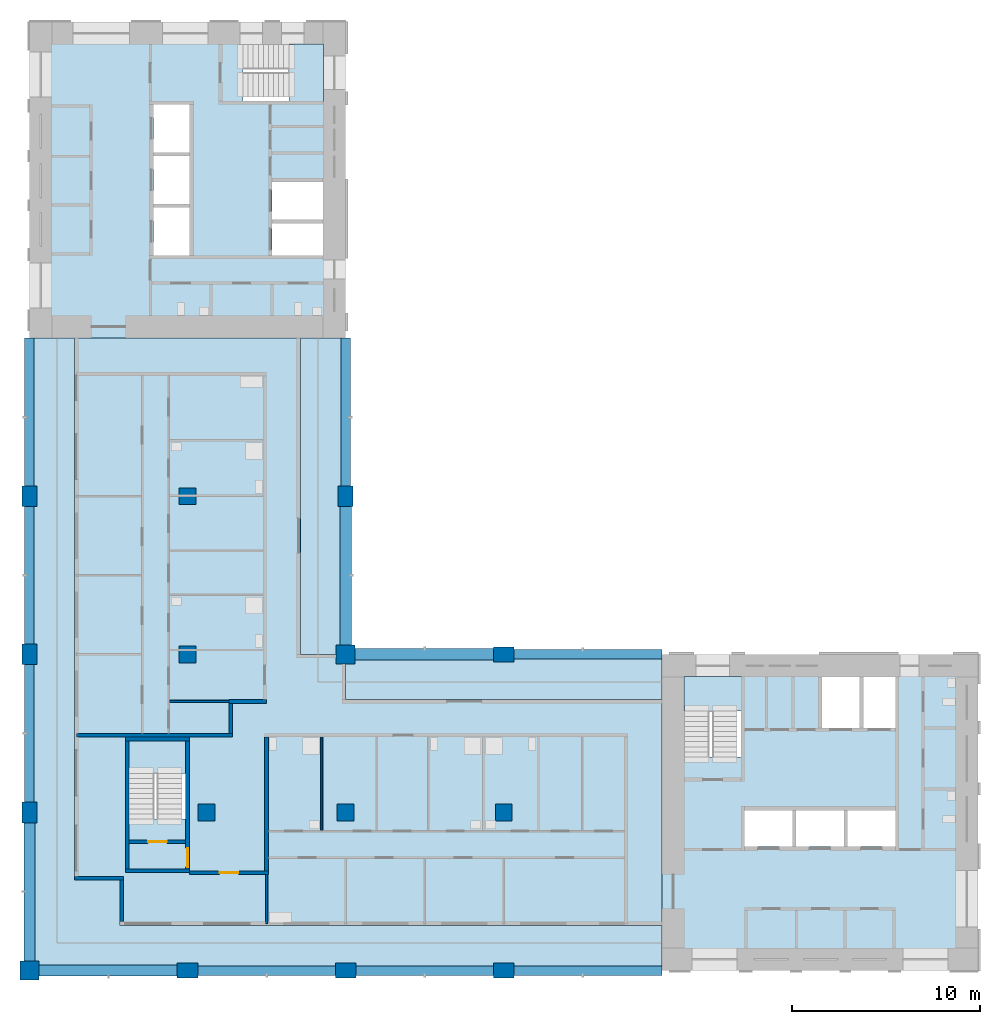
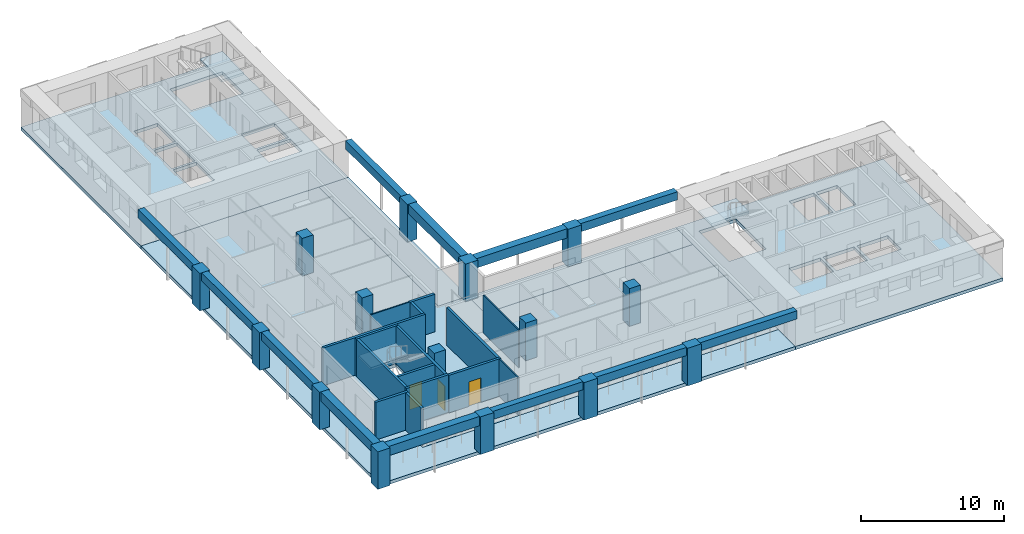
# One storey, part 1 of 10: 15 columns, 15 walls, 12 beams, 10 slabs, 3 doors, 3 openings, 3 elements without a shape of their own.
"""IFC4 building model written with IfcOpenShell, lengths in metres."""

from ifc_helpers import new_model, si_unit, direction, frame, frame_2d, origin, origin_2d, place, context, subcontext, project, spatial, polyline, rectangle, outline, extrude, material, layer, layer_set, material_profile, profile_set, type_object, element, fill, aggregate, save


model = new_model("IFC4")

# Units and contexts
model_context = context("Model", 3, precision=1e-05, world=origin(), true_north=direction((0.0, 1.0)))
body_context = subcontext(model_context, "Body", "Model", "MODEL_VIEW")
ifc_project = project(units=[si_unit("LENGTHUNIT", "METRE"), si_unit("AREAUNIT", "SQUARE_METRE"), si_unit("VOLUMEUNIT", "CUBIC_METRE"), si_unit("PLANEANGLEUNIT", "RADIAN"), si_unit("MASSUNIT", "GRAM", prefix="KILO")], contexts=[model_context])

# Site, building, storey
site_placement = place(None, origin())
site = spatial("IfcSite", under=ifc_project, at=site_placement, CompositionType="ELEMENT")
building_placement = place(site_placement, origin())
building = spatial("IfcBuilding", under=site, at=building_placement, Name="Vermilion Gate Residences", CompositionType="ELEMENT")
storey_placement = place(building_placement, frame((0.0, 0.0, 270.199951171875)))
storey = spatial("IfcBuildingStorey", under=building, at=storey_placement, Name="L71", CompositionType="ELEMENT", Elevation=270.199951171875)

# Columns
ifc_material_1 = material(Name="Concrete C50", Category="concrete")
ifc_material_profile_1 = material_profile(ifc_material_1, rectangle(XDim=1.0, YDim=1.0, at=origin_2d()), Name="RC-1000x1000")
ifc_profile_set_1 = profile_set([ifc_material_profile_1], Name="Concrete C50")
column_type_1 = type_object("IfcColumnType", Name="RC COLUMN 1000 X 1000 C50", PredefinedType="COLUMN", material=ifc_profile_set_1)
for number, where, z_axis, x_axis, name in (
    (1, (8.39990234375, 8.39990234375, 0.0), (0.0, 0.0, 1.0), (1.0, 0.0, 0.0), "Column 2-B L71"),
    (2, (25.199951171875, 25.199951171875, 0.0), (0.0, 0.0, 1.0), (1.0, 0.0, 0.0), "Column 4-D L71"),
):
    element("IfcColumn", number, at=place(storey_placement, frame(where, z_axis=z_axis, x_axis=x_axis)), inside=storey, type_object=column_type_1, Name=name, PredefinedType="COLUMN", context=body_context, shape_type="SweptSolid", body=[
        extrude(rectangle(XDim=1.0, YDim=1.0, at=origin_2d()), origin(), (0.0, 0.0, 1.0), 3.219970703125),
    ])
ifc_material_2 = material(Name="Concrete C50", Category="concrete")
ifc_material_profile_2 = material_profile(ifc_material_2, rectangle(XDim=1.10009765625, YDim=0.800048828125, at=origin_2d()), Name="RC-1100x800")
ifc_profile_set_2 = profile_set([ifc_material_profile_2], Name="Concrete C50")
column_type_2 = type_object("IfcColumnType", Name="RC COLUMN 1100 X 800 C50", PredefinedType="COLUMN", material=ifc_profile_set_2)
for number, where, z_axis, x_axis, name in (
    (3, (8.39990234375, 16.800048828125, 0.0), (0.0, 0.0, 1.0), (0.0, 1.0, 0.0), "Column 2-C L71"),
    (4, (8.39990234375, 25.199951171875, 0.0), (0.0, 0.0, 1.0), (0.0, 1.0, 0.0), "Column 2-D L71"),
    (5, (8.39990234375, 33.60009765625, 0.0), (0.0, 0.0, 1.0), (0.0, 1.0, 0.0), "Column 2-E L71"),
    (6, (16.800048828125, 8.39990234375, 0.0), (0.0, 0.0, 1.0), (1.0, 0.0, 0.0), "Column 3-B L71"),
    (7, (25.199951171875, 8.39990234375, 0.0), (0.0, 0.0, 1.0), (1.0, 0.0, 0.0), "Column 4-B L71"),
    (8, (25.199951171875, 33.60009765625, 0.0), (0.0, 0.0, 1.0), (0.0, 1.0, 0.0), "Column 4-E L71"),
    (9, (33.60009765625, 8.39990234375, 0.0), (0.0, 0.0, 1.0), (1.0, 0.0, 0.0), "Column 5-B L71"),
    (10, (33.60009765625, 25.199951171875, 0.0), (0.0, 0.0, 1.0), (1.0, 0.0, 0.0), "Column 5-D L71"),
):
    element("IfcColumn", number, at=place(storey_placement, frame(where, z_axis=z_axis, x_axis=x_axis)), inside=storey, type_object=column_type_2, Name=name, PredefinedType="COLUMN", context=body_context, shape_type="SweptSolid", body=[
        extrude(rectangle(XDim=1.10009765625, YDim=0.800048828125, at=origin_2d()), origin(), (0.0, 0.0, 1.0), 3.219970703125),
    ])
ifc_material_3 = material(Name="Concrete C50", Category="concrete")
ifc_material_profile_3 = material_profile(ifc_material_3, rectangle(XDim=0.89990234375, YDim=0.89990234375, at=origin_2d()), Name="RC-900x900")
ifc_profile_set_3 = profile_set([ifc_material_profile_3], Name="Concrete C50")
column_type_3 = type_object("IfcColumnType", Name="RC COLUMN 900 X 900 C50", PredefinedType="COLUMN", material=ifc_profile_set_3)
for number, where, z_axis, x_axis, name in (
    (11, (17.800048828125, 16.800048828125, 0.0), (0.0, 0.0, 1.0), (1.0, 0.0, 0.0), "Column 3-C L71"),
    (12, (16.800048828125, 25.199951171875, 0.0), (0.0, 0.0, 1.0), (1.0, 0.0, 0.0), "Column 3-D L71"),
    (13, (16.800048828125, 33.60009765625, 0.0), (0.0, 0.0, 1.0), (1.0, 0.0, 0.0), "Column 3-E L71"),
    (14, (25.199951171875, 16.800048828125, 0.0), (0.0, 0.0, 1.0), (1.0, 0.0, 0.0), "Column 4-C L71"),
    (15, (33.60009765625, 16.800048828125, 0.0), (0.0, 0.0, 1.0), (1.0, 0.0, 0.0), "Column 5-C L71"),
):
    element("IfcColumn", number, at=place(storey_placement, frame(where, z_axis=z_axis, x_axis=x_axis)), inside=storey, type_object=column_type_3, Name=name, PredefinedType="COLUMN", context=body_context, shape_type="SweptSolid", body=[
        extrude(rectangle(XDim=0.89990234375, YDim=0.89990234375, at=origin_2d()), origin(), (0.0, 0.0, 1.0), 3.219970703125),
    ])

# Beams
ifc_material_4 = material(Name="Concrete C60 red-oxide pigmented", Category="concrete")
ifc_material_profile_4 = material_profile(ifc_material_4, rectangle(XDim=0.60009765625, YDim=0.800048828125, at=origin_2d()), Name="RC-600x800")
ifc_profile_set_4 = profile_set([ifc_material_profile_4], Name="Concrete C60 red-oxide pigmented")
beam_type_1 = type_object("IfcBeamType", Name="RC CORNER EDGE BEAM 600 X 800 C60", PredefinedType="BEAM", material=ifc_profile_set_4)
for number, where, z_axis, x_axis, name in (
    (16, (8.89990234375, 8.39990234375, 2.820068359375), (1.0, 0.0, 0.0), (0.0, 1.0, 0.0), "Corner edge beam L71 1"),
    (17, (8.39990234375, 8.89990234375, 2.820068359375), (0.0, 1.0, 0.0), (-1.0, 0.0, 0.0), "Corner edge beam L71 2"),
    (18, (25.199951171875, 25.699951171875, 2.820068359375), (0.0, 1.0, 0.0), (-1.0, 0.0, 0.0), "Corner edge beam L71 7"),
    (19, (25.699951171875, 25.199951171875, 2.820068359375), (1.0, 0.0, 0.0), (0.0, 1.0, 0.0), "Corner edge beam L71 10"),
):
    element("IfcBeam", number, at=place(storey_placement, frame(where, z_axis=z_axis, x_axis=x_axis)), inside=storey, type_object=beam_type_1, Name=name, PredefinedType="BEAM", context=body_context, shape_type="SweptSolid", body=[
        extrude(rectangle(XDim=0.60009765625, YDim=0.800048828125, at=origin_2d()), origin(), (0.0, 0.0, 1.0), 7.35009765625),
    ])
ifc_material_5 = material(Name="Concrete C60 red-oxide pigmented", Category="concrete")
ifc_material_profile_5 = material_profile(ifc_material_5, rectangle(XDim=0.5, YDim=0.699951171875, at=origin_2d()), Name="RC-500x700")
ifc_profile_set_5 = profile_set([ifc_material_profile_5], Name="Concrete C60 red-oxide pigmented")
beam_type_2 = type_object("IfcBeamType", Name="RC EDGE BEAM 500 X 700 C60", PredefinedType="BEAM", material=ifc_profile_set_5)
beam_1_placement = place(storey_placement, frame((8.39990234375, 17.35009765625, 2.8701171875), z_axis=(0.0, 1.0, 0.0), x_axis=(-1.0, 0.0, 0.0)))
element("IfcBeam", 20, at=beam_1_placement, inside=storey, type_object=beam_type_2, Name="Edge beam L71 3", PredefinedType="BEAM", context=body_context, shape_type="SweptSolid", body=[
    extrude(rectangle(XDim=0.5, YDim=0.699951171875, at=origin_2d()), origin(), (0.0, 0.0, 1.0), 7.2998046875),
])
beam_2_placement = place(storey_placement, frame((8.39990234375, 25.75, 2.8701171875), z_axis=(0.0, 1.0, 0.0), x_axis=(-1.0, 0.0, 0.0)))
element("IfcBeam", 21, at=beam_2_placement, inside=storey, type_object=beam_type_2, Name="Edge beam L71 4", PredefinedType="BEAM", context=body_context, shape_type="SweptSolid", body=[
    extrude(rectangle(XDim=0.5, YDim=0.699951171875, at=origin_2d()), origin(), (0.0, 0.0, 1.0), 7.300048828125),
])
beam_3_placement = place(storey_placement, frame((8.39990234375, 34.14990234375, 2.8701171875), z_axis=(0.0, 1.0, 0.0), x_axis=(-1.0, 0.0, 0.0)))
element("IfcBeam", 22, at=beam_3_placement, inside=storey, type_object=beam_type_2, Name="Edge beam L71 5", PredefinedType="BEAM", context=body_context, shape_type="SweptSolid", body=[
    extrude(rectangle(XDim=0.5, YDim=0.699951171875, at=origin_2d()), origin(), (0.0, 0.0, 1.0), 7.85009765625),
])
beam_4_placement = place(storey_placement, frame((17.35009765625, 8.39990234375, 2.8701171875), z_axis=(1.0, 0.0, 0.0), x_axis=(0.0, 1.0, 0.0)))
element("IfcBeam", 23, at=beam_4_placement, inside=storey, type_object=beam_type_2, Name="Edge beam L71 6", PredefinedType="BEAM", context=body_context, shape_type="SweptSolid", body=[
    extrude(rectangle(XDim=0.5, YDim=0.699951171875, at=origin_2d()), origin(), (0.0, 0.0, 1.0), 7.2998046875),
])
beam_5_placement = place(storey_placement, frame((25.199951171875, 34.14990234375, 2.8701171875), z_axis=(0.0, 1.0, 0.0), x_axis=(-1.0, 0.0, 0.0)))
element("IfcBeam", 24, at=beam_5_placement, inside=storey, type_object=beam_type_2, Name="Edge beam L71 8", PredefinedType="BEAM", context=body_context, shape_type="SweptSolid", body=[
    extrude(rectangle(XDim=0.5, YDim=0.699951171875, at=origin_2d()), origin(), (0.0, 0.0, 1.0), 7.85009765625),
])
beam_6_placement = place(storey_placement, frame((25.75, 8.39990234375, 2.8701171875), z_axis=(1.0, 0.0, 0.0), x_axis=(0.0, 1.0, 0.0)))
element("IfcBeam", 25, at=beam_6_placement, inside=storey, type_object=beam_type_2, Name="Edge beam L71 9", PredefinedType="BEAM", context=body_context, shape_type="SweptSolid", body=[
    extrude(rectangle(XDim=0.5, YDim=0.699951171875, at=origin_2d()), origin(), (0.0, 0.0, 1.0), 7.300048828125),
])
for number, where, z_axis, x_axis, name in (
    (26, (34.14990234375, 8.39990234375, 2.8701171875), (1.0, 0.0, 0.0), (0.0, 1.0, 0.0), "Edge beam L71 11"),
    (27, (34.14990234375, 25.199951171875, 2.8701171875), (1.0, 0.0, 0.0), (0.0, 1.0, 0.0), "Edge beam L71 12"),
):
    element("IfcBeam", number, at=place(storey_placement, frame(where, z_axis=z_axis, x_axis=x_axis)), inside=storey, type_object=beam_type_2, Name=name, PredefinedType="BEAM", context=body_context, shape_type="SweptSolid", body=[
        extrude(rectangle(XDim=0.5, YDim=0.699951171875, at=origin_2d()), origin(), (0.0, 0.0, 1.0), 7.85009765625),
    ])

# Slabs
ifc_material_6 = material(Name="Concrete C50", Category="concrete")
ifc_layer_1 = layer(ifc_material_6, 0.280029296875)
ifc_layer_set_1 = layer_set([ifc_layer_1], Name="RC CORE FLOOR SLAB 280 C50")
slab_type_1 = type_object("IfcSlabType", Name="RC CORE FLOOR SLAB 280 C50", PredefinedType="FLOOR", material=ifc_layer_set_1)
slab_1_placement = place(storey_placement, frame((0.0, 0.0, -0.280029296875)))
element("IfcSlab", 28, at=slab_1_placement, inside=storey, type_object=slab_type_1, Name="Core floor slab A71", PredefinedType="FLOOR", context=body_context, shape_type="SweptSolid", body=[
    extrude(outline(polyline([(42.0, 8.39990234375), (58.800048828125, 8.39990234375), (58.800048828125, 25.199951171875), (42.0, 25.199951171875), (42.0, 8.39990234375)]), holes=[polyline([(46.39990234375, 15.0), (46.39990234375, 16.89990234375), (48.933349609375, 16.89990234375), (48.933349609375, 15.0), (46.39990234375, 15.0)]), polyline([(49.13330078125, 16.89990234375), (51.666748046875, 16.89990234375), (51.666748046875, 15.0), (49.13330078125, 15.0), (49.13330078125, 16.89990234375)]), polyline([(51.86669921875, 16.89990234375), (54.39990234375, 16.89990234375), (54.39990234375, 15.0), (51.86669921875, 15.0), (51.86669921875, 16.89990234375)]), polyline([(43.199951171875, 19.75), (43.199951171875, 24.0), (46.199951171875, 24.0), (46.199951171875, 19.75), (43.199951171875, 19.75)]), polyline([(50.5, 24.0), (52.5, 24.0), (52.5, 21.300048828125), (50.5, 21.300048828125), (50.5, 24.0)]), polyline([(52.699951171875, 24.0), (54.39990234375, 24.0), (54.39990234375, 21.300048828125), (52.699951171875, 21.300048828125), (52.699951171875, 24.0)])]), origin(), (0.0, 0.0, 1.0), 0.280029296875),
])
slab_2_placement = place(storey_placement, frame((0.0, 0.0, -0.280029296875)))
element("IfcSlab", 29, at=slab_2_placement, inside=storey, type_object=slab_type_1, Name="Core floor slab B71", PredefinedType="FLOOR", context=body_context, shape_type="SweptSolid", body=[
    extrude(outline(polyline([(8.39990234375, 42.0), (25.199951171875, 42.0), (25.199951171875, 58.800048828125), (8.39990234375, 58.800048828125), (8.39990234375, 42.0)]), holes=[polyline([(21.300048828125, 46.39990234375), (21.300048828125, 48.10009765625), (24.0, 48.10009765625), (24.0, 46.39990234375), (21.300048828125, 46.39990234375)]), polyline([(15.0, 48.933349609375), (16.89990234375, 48.933349609375), (16.89990234375, 46.39990234375), (15.0, 46.39990234375), (15.0, 48.933349609375)]), polyline([(21.300048828125, 50.300048828125), (24.0, 50.300048828125), (24.0, 48.300048828125), (21.300048828125, 48.300048828125), (21.300048828125, 50.300048828125)]), polyline([(15.0, 49.13330078125), (15.0, 51.666748046875), (16.89990234375, 51.666748046875), (16.89990234375, 49.13330078125), (15.0, 49.13330078125)]), polyline([(15.0, 54.39990234375), (16.89990234375, 54.39990234375), (16.89990234375, 51.86669921875), (15.0, 51.86669921875), (15.0, 54.39990234375)]), polyline([(19.75, 57.60009765625), (24.0, 57.60009765625), (24.0, 54.60009765625), (19.75, 54.60009765625), (19.75, 57.60009765625)])]), origin(), (0.0, 0.0, 1.0), 0.280029296875),
])
slab_3_placement = place(storey_placement, frame((0.0, 0.0, -0.280029296875)))
element("IfcSlab", 30, at=slab_3_placement, inside=storey, type_object=slab_type_1, Name="Apex stair floor slab 71", PredefinedType="FLOOR", context=body_context, shape_type="SweptSolid", body=[
    extrude(outline(polyline([(13.5, 13.60009765625), (16.89990234375, 13.60009765625), (16.89990234375, 20.800048828125), (13.5, 20.800048828125), (13.5, 13.60009765625)]), holes=[polyline([(16.699951171875, 20.60009765625), (16.699951171875, 16.449951171875), (13.699951171875, 16.449951171875), (13.699951171875, 20.60009765625), (16.699951171875, 20.60009765625)])]), origin(), (0.0, 0.0, 1.0), 0.280029296875),
])
ifc_material_7 = material(Name="Concrete C50", Category="concrete")
ifc_layer_2 = layer(ifc_material_7, 0.280029296875)
ifc_layer_set_2 = layer_set([ifc_layer_2], Name="RC FLAT PLATE 280 C50")
slab_type_2 = type_object("IfcSlabType", Name="RC FLAT PLATE 280 C50", PredefinedType="FLOOR", material=ifc_layer_set_2)
slab_4_placement = place(storey_placement, frame((0.0, 0.0, -0.280029296875)))
element("IfcSlab", 31, at=slab_4_placement, inside=storey, type_object=slab_type_2, Name="Floor slab L71", PredefinedType="FLOOR", context=body_context, shape_type="SweptSolid", body=[
    extrude(outline(polyline([(22.800048828125, 25.199951171875), (22.800048828125, 42.0), (10.800048828125, 42.0), (10.800048828125, 13.199951171875), (13.199951171875, 13.199951171875), (13.199951171875, 10.800048828125), (42.0, 10.800048828125), (42.0, 22.800048828125), (25.199951171875, 22.800048828125), (25.199951171875, 25.199951171875), (22.800048828125, 25.199951171875)]), holes=[polyline([(13.5, 13.60009765625), (13.5, 20.800048828125), (16.89990234375, 20.800048828125), (16.89990234375, 13.60009765625), (13.5, 13.60009765625)])]), origin(), (0.0, 0.0, 1.0), 0.280029296875),
])
ifc_material_8 = material(Name="Concrete C50 red-oxide pigmented", Category="concrete")
ifc_layer_3 = layer(ifc_material_8, 0.280029296875)
ifc_layer_set_3 = layer_set([ifc_layer_3], Name="RC LOGGIA SLAB 280 C50")
slab_type_3 = type_object("IfcSlabType", Name="RC LOGGIA SLAB 280 C50", PredefinedType="FLOOR", material=ifc_layer_set_3)
slab_5_placement = place(storey_placement, frame((0.0, 0.0, -0.280029296875)))
element("IfcSlab", 32, at=slab_5_placement, inside=storey, type_object=slab_type_3, Name="Loggia slab L71", PredefinedType="FLOOR", context=body_context, shape_type="SweptSolid", body=[
    extrude(outline(polyline([(8.39990234375, 8.39990234375), (42.0, 8.39990234375), (42.0, 10.800048828125), (13.199951171875, 10.800048828125), (13.199951171875, 13.199951171875), (10.800048828125, 13.199951171875), (10.800048828125, 42.0), (8.39990234375, 42.0), (8.39990234375, 8.39990234375)])), origin(), (0.0, 0.0, 1.0), 0.280029296875),
])
slab_6_placement = place(storey_placement, frame((0.0, 0.0, -0.280029296875)))
element("IfcSlab", 33, at=slab_6_placement, inside=storey, type_object=slab_type_3, Name="Loggia slab L71", PredefinedType="FLOOR", context=body_context, shape_type="SweptSolid", body=[
    extrude(outline(polyline([(25.199951171875, 22.800048828125), (42.0, 22.800048828125), (42.0, 25.199951171875), (25.199951171875, 25.199951171875), (25.199951171875, 22.800048828125)])), origin(), (0.0, 0.0, 1.0), 0.280029296875),
])
slab_7_placement = place(storey_placement, frame((0.0, 0.0, -0.280029296875)))
element("IfcSlab", 34, at=slab_7_placement, inside=storey, type_object=slab_type_3, Name="Loggia slab L71", PredefinedType="FLOOR", context=body_context, shape_type="SweptSolid", body=[
    extrude(outline(polyline([(25.199951171875, 42.0), (22.800048828125, 42.0), (22.800048828125, 25.199951171875), (25.199951171875, 25.199951171875), (25.199951171875, 42.0)])), origin(), (0.0, 0.0, 1.0), 0.280029296875),
])

# Stair, slab
ifc_material_9 = material(Name="Concrete C50", Category="concrete")
stair_type = type_object("IfcStairType", Name="SPECIAL ESCAPE STAIR 1300", PredefinedType="HALF_TURN_STAIR", material=ifc_material_9)
stair_1_placement = place(storey_placement, origin())
stair_1 = element("IfcStair", 35, at=stair_1_placement, inside=storey, type_object=stair_type, Name="Special escape stair STA1-71", PredefinedType="HALF_TURN_STAIR")
ifc_material_10 = material(Name="Concrete C50", Category="concrete")
ifc_layer_4 = layer(ifc_material_10, 0.199951171875)
ifc_layer_set_4 = layer_set([ifc_layer_4], Name="STAIR LANDING 200 C50")
slab_type_4 = type_object("IfcSlabType", Name="STAIR LANDING 200 C50", PredefinedType="LANDING", material=ifc_layer_set_4)
slab_8_placement = place(storey_placement, frame((0.0, 0.0, 1.550048828125)))
slab_8 = element("IfcSlab", 36, at=slab_8_placement, type_object=slab_type_4, Name="STA1-71 landing 1", PredefinedType="LANDING", context=body_context, shape_type="SweptSolid", body=[
    extrude(outline(polyline([(46.219970703125, 22.179931640625), (46.219970703125, 24.02001953125), (43.179931640625, 24.02001953125), (43.179931640625, 22.179931640625), (46.219970703125, 22.179931640625)])), origin(), (0.0, 0.0, 1.0), 0.199951171875),
])
aggregate(stair_1, [slab_8])

stair_2_placement = place(storey_placement, origin())
stair_2 = element("IfcStair", 37, at=stair_2_placement, inside=storey, type_object=stair_type, Name="Special escape stair STB1-71", PredefinedType="HALF_TURN_STAIR")
slab_9_placement = place(storey_placement, frame((0.0, 0.0, 1.550048828125)))
slab_9 = element("IfcSlab", 38, at=slab_9_placement, type_object=slab_type_4, Name="STB1-71 landing 1", PredefinedType="LANDING", context=body_context, shape_type="SweptSolid", body=[
    extrude(outline(polyline([(24.02001953125, 54.580078125), (24.02001953125, 57.6201171875), (22.179931640625, 57.6201171875), (22.179931640625, 54.580078125), (24.02001953125, 54.580078125)])), origin(), (0.0, 0.0, 1.0), 0.199951171875),
])
aggregate(stair_2, [slab_9])

stair_3_placement = place(storey_placement, origin())
stair_3 = element("IfcStair", 39, at=stair_3_placement, inside=storey, type_object=stair_type, Name="Special escape stair STC1-71", PredefinedType="HALF_TURN_STAIR")
slab_10_placement = place(storey_placement, frame((0.0, 0.0, 1.550048828125)))
slab_10 = element("IfcSlab", 40, at=slab_10_placement, type_object=slab_type_4, Name="STC1-71 landing 1", PredefinedType="LANDING", context=body_context, shape_type="SweptSolid", body=[
    extrude(outline(polyline([(16.719970703125, 18.8798828125), (16.719970703125, 20.6201171875), (13.679931640625, 20.6201171875), (13.679931640625, 18.8798828125), (16.719970703125, 18.8798828125)])), origin(), (0.0, 0.0, 1.0), 0.199951171875),
])
aggregate(stair_3, [slab_10])

# Walls
ifc_material_11 = material(Name="Insulated steel stud wall with terracotta rainscreen", Category="masonry")
ifc_layer_5 = layer(ifc_material_11, 0.199951171875)
ifc_layer_set_5 = layer_set([ifc_layer_5], Name="EXTERNAL WALL 200 TERRACOTTA RAINSCREEN")
wall_type_1 = type_object("IfcWallType", Name="EXTERNAL WALL 200 TERRACOTTA RAINSCREEN", PredefinedType="SOLIDWALL", material=ifc_layer_set_5)
wall_1_placement = place(storey_placement, frame((10.800048828125, 13.300048828125, 0.0), z_axis=(0.0, 0.0, 1.0), x_axis=(1.0, 0.0, 0.0)))
element("IfcWall", 41, at=wall_1_placement, inside=storey, type_object=wall_type_1, Name="External wall", PredefinedType="SOLIDWALL", context=body_context, shape_type="SweptSolid", body=[
    extrude(rectangle(XDim=2.599853515625, YDim=0.199951171875, at=frame_2d((1.2998046875, 0.0))), origin(), (0.0, 0.0, 1.0), 3.219970703125),
])
wall_2_placement = place(storey_placement, frame((13.300048828125, 13.199951171875, 0.0), z_axis=(0.0, 0.0, 1.0), x_axis=(0.0, -1.0, 0.0)))
element("IfcWall", 42, at=wall_2_placement, inside=storey, type_object=wall_type_1, Name="External wall", PredefinedType="SOLIDWALL", context=body_context, shape_type="SweptSolid", body=[
    extrude(rectangle(XDim=2.199951171875, YDim=0.199951171875, at=frame_2d((1.10009765625, 0.0))), origin(), (0.0, 0.0, 1.0), 3.219970703125),
])
ifc_material_12 = material(Name="Plasterboard on steel studs", Category="steel")
ifc_layer_6 = layer(ifc_material_12, 0.10009765625)
ifc_layer_set_6 = layer_set([ifc_layer_6], Name="PARTITION 100")
wall_type_2 = type_object("IfcWallType", Name="PARTITION 100", PredefinedType="PARTITIONING", material=ifc_layer_set_6)
wall_3_placement = place(storey_placement, frame((15.85009765625, 22.699951171875, 0.0), z_axis=(0.0, 0.0, 1.0), x_axis=(1.0, 0.0, 0.0)))
element("IfcWall", 43, at=wall_3_placement, inside=storey, type_object=wall_type_2, Name="Partition", PredefinedType="PARTITIONING", context=body_context, shape_type="SweptSolid", body=[
    extrude(rectangle(XDim=3.14990234375, YDim=0.10009765625, at=frame_2d((1.574951171875, 0.0))), origin(), (0.0, 0.0, 1.0), 3.219970703125),
])
wall_4_placement = place(storey_placement, frame((21.0, 10.89990234375, 0.0), z_axis=(0.0, 0.0, 1.0), x_axis=(0.0, 1.0, 0.0)))
element("IfcWall", 44, at=wall_4_placement, inside=storey, type_object=wall_type_2, Name="Partition", PredefinedType="PARTITIONING", context=body_context, shape_type="SweptSolid", body=[
    extrude(rectangle(XDim=2.60009765625, YDim=0.10009765625, at=frame_2d((1.300048828125, 0.0))), origin(), (0.0, 0.0, 1.0), 3.219970703125),
])
wall_5_placement = place(storey_placement, frame((23.928955078125, 15.85009765625, 0.0), z_axis=(0.0, 0.0, 1.0), x_axis=(0.0, 1.0, 0.0)))
element("IfcWall", 45, at=wall_5_placement, inside=storey, type_object=wall_type_2, Name="Partition", PredefinedType="PARTITIONING", context=body_context, shape_type="SweptSolid", body=[
    extrude(rectangle(XDim=4.949951171875, YDim=0.10009765625, at=frame_2d((2.47509765625, 0.0))), origin(), (0.0, 0.0, 1.0), 3.219970703125),
])

# Wall, opening, door
ifc_material_13 = material(Name="Fire-rated plasterboard on steel studs", Category="steel")
ifc_layer_7 = layer(ifc_material_13, 0.199951171875)
ifc_layer_set_7 = layer_set([ifc_layer_7], Name="PARTY WALL 200 EI 120")
wall_type_3 = type_object("IfcWallType", Name="PARTY WALL 200 EI 120", PredefinedType="PARTITIONING", material=ifc_layer_set_7)
wall_6_placement = place(storey_placement, frame((16.89990234375, 13.60009765625, 0.0), z_axis=(0.0, 0.0, 1.0), x_axis=(1.0, 0.0, 0.0)))
wall_6 = element("IfcWall", 46, at=wall_6_placement, inside=storey, type_object=wall_type_3, Name="Party and corridor wall", PredefinedType="PARTITIONING", context=body_context, shape_type="SweptSolid", body=[
    extrude(rectangle(XDim=4.2001953125, YDim=0.199951171875, at=frame_2d((2.10009765625, 0.0))), origin(), (0.0, 0.0, 1.0), 3.219970703125),
])
opening_1_placement = place(wall_6_placement, frame((1.60009765625, 0.0, 0.0)))
opening_1 = element("IfcOpeningElement", 47, at=opening_1_placement, cuts=wall_6, Name="Opening DA70001", PredefinedType="OPENING", context=body_context, shape_type="SweptSolid", body=[
    extrude(rectangle(XDim=1.0, YDim=2.10009765625, at=frame_2d((0.5, 1.050048828125))), frame((0.0, 0.10986328125, 0.0), z_axis=(0.0, -1.0, 0.0), x_axis=(1.0, 0.0, 0.0)), (0.0, 0.0, 1.0), 0.219970703125),
])
ifc_material_14 = material(Name="Steel", Category="steel")
door_type_1 = type_object("IfcDoorType", Name="ENTRANCE DOOR 1000 X 2100 FD30", OperationType="SINGLE_SWING_LEFT", PredefinedType="DOOR", material=ifc_material_14)
door_1_placement = place(opening_1_placement, frame((1.0, 0.0, 0.0), z_axis=(0.0, 0.0, 1.0), x_axis=(-1.0, 0.0, 0.0)))
door_1 = element("IfcDoor", 48, at=door_1_placement, inside=storey, type_object=door_type_1, Name="Entrance door", OperationType="SINGLE_SWING_LEFT", OverallHeight=2.10009765625, OverallWidth=1.0, PredefinedType="DOOR", context=body_context, shape_type="SweptSolid", body=[
    extrude(rectangle(XDim=1.0, YDim=2.10009765625, at=frame_2d((0.5, 1.050048828125))), frame((0.0, 0.02490234375, 0.0), z_axis=(0.0, -1.0, 0.0), x_axis=(1.0, 0.0, 0.0)), (0.0, 0.0, 1.0), 0.050048828125),
])
fill(opening_1, door_1)

# Walls
wall_7_placement = place(storey_placement, frame((10.89990234375, 20.89990234375, 0.0), z_axis=(0.0, 0.0, 1.0), x_axis=(1.0, 0.0, 0.0)))
element("IfcWall", 49, at=wall_7_placement, inside=storey, type_object=wall_type_3, Name="Party and corridor wall", PredefinedType="PARTITIONING", context=body_context, shape_type="SweptSolid", body=[
    extrude(rectangle(XDim=8.300048828125, YDim=0.199951171875, at=frame_2d((4.14990234375, 0.0))), origin(), (0.0, 0.0, 1.0), 3.219970703125),
])
wall_8_placement = place(storey_placement, frame((19.0, 22.699951171875, 0.0), z_axis=(0.0, 0.0, 1.0), x_axis=(1.0, 0.0, 0.0)))
element("IfcWall", 50, at=wall_8_placement, inside=storey, type_object=wall_type_3, Name="Party and corridor wall", PredefinedType="PARTITIONING", context=body_context, shape_type="SweptSolid", body=[
    extrude(rectangle(XDim=2.0, YDim=0.199951171875, at=frame_2d((1.0, 0.0))), origin(), (0.0, 0.0, 1.0), 3.219970703125),
])
wall_9_placement = place(storey_placement, frame((19.10009765625, 21.0, 0.0), z_axis=(0.0, 0.0, 1.0), x_axis=(0.0, 1.0, 0.0)))
element("IfcWall", 51, at=wall_9_placement, inside=storey, type_object=wall_type_3, Name="Party and corridor wall", PredefinedType="PARTITIONING", context=body_context, shape_type="SweptSolid", body=[
    extrude(rectangle(XDim=1.60009765625, YDim=0.199951171875, at=frame_2d((0.800048828125, 0.0))), origin(), (0.0, 0.0, 1.0), 3.219970703125),
])
wall_10_placement = place(storey_placement, frame((21.0, 13.699951171875, 0.0), z_axis=(0.0, 0.0, 1.0), x_axis=(0.0, 1.0, 0.0)))
element("IfcWall", 52, at=wall_10_placement, inside=storey, type_object=wall_type_3, Name="Party and corridor wall", PredefinedType="PARTITIONING", context=body_context, shape_type="SweptSolid", body=[
    extrude(rectangle(XDim=7.10009765625, YDim=0.199951171875, at=frame_2d((3.550048828125, 0.0))), origin(), (0.0, 0.0, 1.0), 3.219970703125),
])
ifc_material_15 = material(Name="Concrete C60", Category="concrete")
ifc_layer_8 = layer(ifc_material_15, 0.199951171875)
ifc_layer_set_8 = layer_set([ifc_layer_8], Name="RC CORE INTERNAL WALL 200 C60")
wall_type_4 = type_object("IfcWallType", Name="RC CORE INTERNAL WALL 200 C60", PredefinedType="SHEAR", material=ifc_layer_set_8)
wall_11_placement = place(storey_placement, frame((13.60009765625, 13.800048828125, 0.0), z_axis=(0.0, 0.0, 1.0), x_axis=(0.0, 1.0, 0.0)))
element("IfcWall", 53, at=wall_11_placement, inside=storey, type_object=wall_type_4, Name="Core internal wall C71-W", PredefinedType="SHEAR", context=body_context, shape_type="SweptSolid", body=[
    extrude(rectangle(XDim=6.800048828125, YDim=0.199951171875, at=frame_2d((3.39990234375, 0.0))), origin(), (0.0, 0.0, 1.0), 3.219970703125),
])

# Wall, opening, door
wall_12_placement = place(storey_placement, frame((16.800048828125, 13.800048828125, 0.0), z_axis=(0.0, 0.0, 1.0), x_axis=(0.0, 1.0, 0.0)))
wall_12 = element("IfcWall", 54, at=wall_12_placement, inside=storey, type_object=wall_type_4, Name="Core internal wall C71-E", PredefinedType="SHEAR", context=body_context, shape_type="SweptSolid", body=[
    extrude(rectangle(XDim=6.800048828125, YDim=0.199951171875, at=frame_2d((3.39990234375, 0.0))), origin(), (0.0, 0.0, 1.0), 3.219970703125),
])
opening_2_placement = place(wall_12_placement, frame((0.10009765625, 0.0, 0.0)))
opening_2 = element("IfcOpeningElement", 55, at=opening_2_placement, cuts=wall_12, Name="Opening DK71201", PredefinedType="OPENING", context=body_context, shape_type="SweptSolid", body=[
    extrude(rectangle(XDim=1.0, YDim=2.10009765625, at=frame_2d((0.5, 1.050048828125))), frame((0.0, 0.10986328125, 0.0), z_axis=(0.0, -1.0, 0.0), x_axis=(1.0, 0.0, 0.0)), (0.0, 0.0, 1.0), 0.219970703125),
])
ifc_material_16 = material(Name="Steel", Category="steel")
door_type_2 = type_object("IfcDoorType", Name="FIRE DOOR FD60 1000 X 2100", OperationType="SINGLE_SWING_LEFT", PredefinedType="DOOR", material=ifc_material_16)
door_2_placement = place(opening_2_placement, frame((1.0, 0.0, 0.0), z_axis=(0.0, 0.0, 1.0), x_axis=(-1.0, 0.0, 0.0)))
door_2 = element("IfcDoor", 56, at=door_2_placement, inside=storey, type_object=door_type_2, Name="Stair vestibule door C71", OperationType="SINGLE_SWING_RIGHT", OverallHeight=2.10009765625, OverallWidth=1.0, PredefinedType="DOOR", context=body_context, shape_type="SweptSolid", body=[
    extrude(rectangle(XDim=1.0, YDim=2.10009765625, at=frame_2d((0.5, 1.050048828125))), frame((0.0, 0.02490234375, 0.0), z_axis=(0.0, -1.0, 0.0), x_axis=(1.0, 0.0, 0.0)), (0.0, 0.0, 1.0), 0.050048828125),
])
fill(opening_2, door_2)

# Walls
for number, where, z_axis, x_axis, name in (
    (57, (13.5, 13.699951171875, 0.0), (0.0, 0.0, 1.0), (1.0, 0.0, 0.0), "Core internal wall C71-S"),
    (58, (13.5, 20.699951171875, 0.0), (0.0, 0.0, 1.0), (1.0, 0.0, 0.0), "Core internal wall C71-N"),
):
    element("IfcWall", number, at=place(storey_placement, frame(where, z_axis=z_axis, x_axis=x_axis)), inside=storey, type_object=wall_type_4, Name=name, PredefinedType="SHEAR", context=body_context, shape_type="SweptSolid", body=[
        extrude(rectangle(XDim=3.39990234375, YDim=0.199951171875, at=frame_2d((1.699951171875, 0.0))), origin(), (0.0, 0.0, 1.0), 3.219970703125),
    ])

# Wall, opening, door
wall_13_placement = place(storey_placement, frame((13.699951171875, 15.25, 0.0), z_axis=(0.0, 0.0, 1.0), x_axis=(1.0, 0.0, 0.0)))
wall_13 = element("IfcWall", 59, at=wall_13_placement, inside=storey, type_object=wall_type_4, Name="Core internal wall C71-P", PredefinedType="SHEAR", context=body_context, shape_type="SweptSolid", body=[
    extrude(rectangle(XDim=3.0, YDim=0.199951171875, at=frame_2d((1.5, 0.0))), origin(), (0.0, 0.0, 1.0), 3.219970703125),
])
opening_3_placement = place(wall_13_placement, frame((1.0, 0.0, 0.0)))
opening_3 = element("IfcOpeningElement", 60, at=opening_3_placement, cuts=wall_13, Name="Opening DK71202", PredefinedType="OPENING", context=body_context, shape_type="SweptSolid", body=[
    extrude(rectangle(XDim=1.0, YDim=2.10009765625, at=frame_2d((0.5, 1.050048828125))), frame((0.0, 0.10986328125, 0.0), z_axis=(0.0, -1.0, 0.0), x_axis=(1.0, 0.0, 0.0)), (0.0, 0.0, 1.0), 0.219970703125),
])
door_3_placement = place(opening_3_placement, origin())
door_3 = element("IfcDoor", 61, at=door_3_placement, inside=storey, type_object=door_type_2, Name="Stair door C71", OperationType="SINGLE_SWING_LEFT", OverallHeight=2.10009765625, OverallWidth=1.0, PredefinedType="DOOR", context=body_context, shape_type="SweptSolid", body=[
    extrude(rectangle(XDim=1.0, YDim=2.10009765625, at=frame_2d((0.5, 1.050048828125))), frame((0.0, 0.02490234375, 0.0), z_axis=(0.0, -1.0, 0.0), x_axis=(1.0, 0.0, 0.0)), (0.0, 0.0, 1.0), 0.050048828125),
])
fill(opening_3, door_3)

save(model, "model.ifc")
